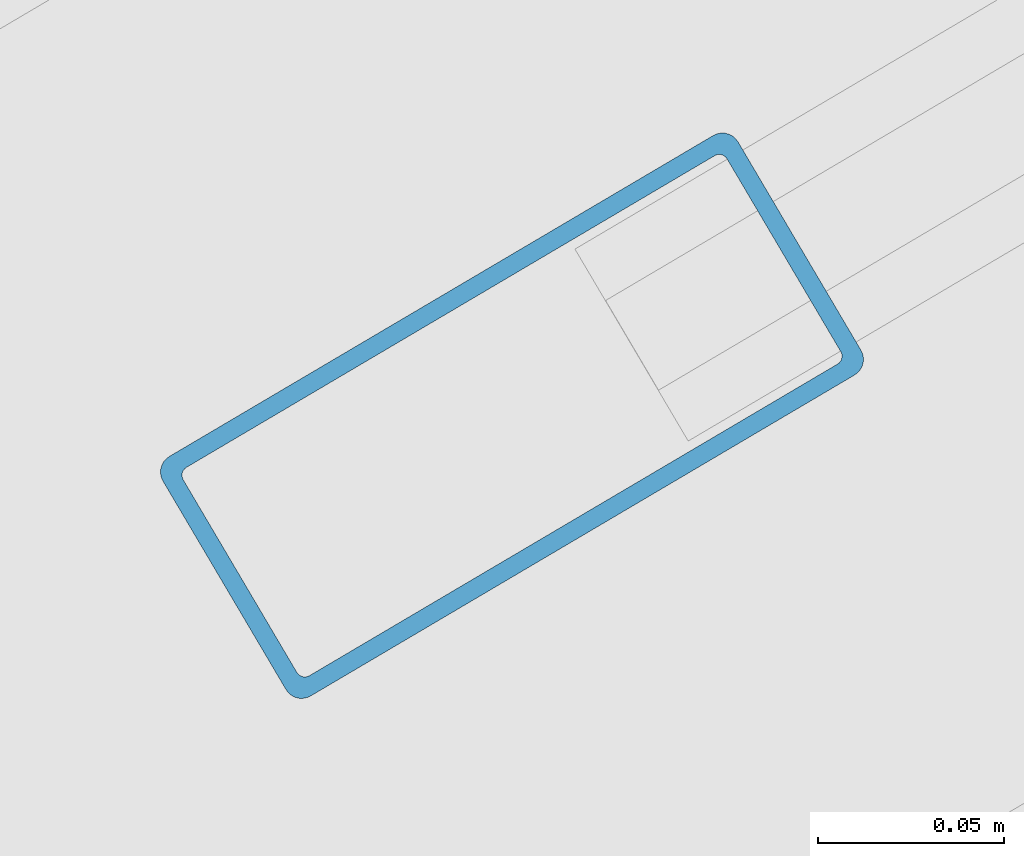
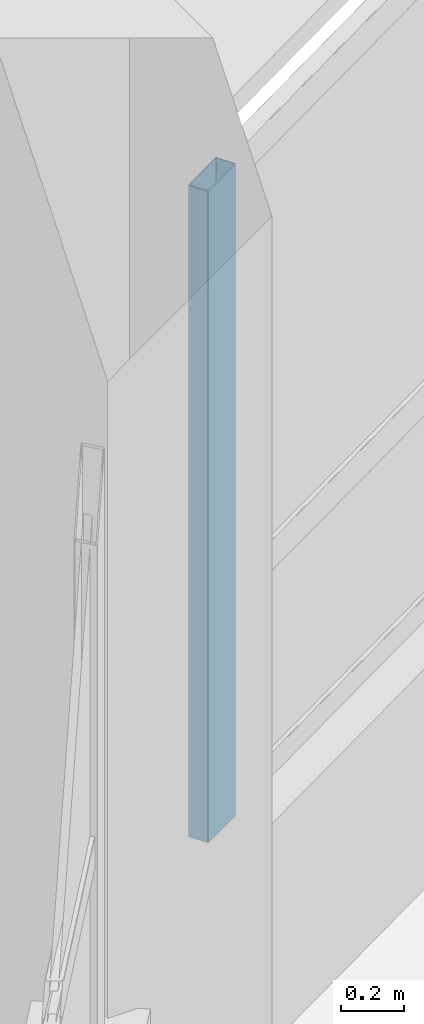
# One storey, part 73 of 128: 1 member, 1 element without a shape of its own.
"""IFC4 building model written with IfcOpenShell, lengths in metres."""

from ifc_helpers import new_model, si_unit, direction, frame, origin, origin_2d, place, context, subcontext, project, spatial, hollow_rectangle, extrude, material, layer, layer_set, material_profile, profile_set, type_object, element, aggregate, save


model = new_model("IFC4")

# Units and contexts
model_context = context("Model", 3, precision=1e-05, world=origin(), true_north=direction((0.0, 1.0)))
body_context = subcontext(model_context, "Body", "Model", "MODEL_VIEW")
ifc_project = project(units=[si_unit("LENGTHUNIT", "METRE"), si_unit("AREAUNIT", "SQUARE_METRE"), si_unit("VOLUMEUNIT", "CUBIC_METRE"), si_unit("PLANEANGLEUNIT", "RADIAN"), si_unit("MASSUNIT", "GRAM", prefix="KILO")], contexts=[model_context])

# Site, building, storey
site_placement = place(None, origin())
site = spatial("IfcSite", under=ifc_project, at=site_placement, CompositionType="ELEMENT")
building_placement = place(site_placement, origin())
building = spatial("IfcBuilding", under=site, at=building_placement, Name="Vespera Passage Community Centre", CompositionType="ELEMENT")
storey_placement = place(building_placement, frame((0.0, 0.0, 4.5)))
storey = spatial("IfcBuildingStorey", under=building, at=storey_placement, Name="L01", CompositionType="ELEMENT", Elevation=4.5)

# Curtain wall, member
ifc_material_1 = material(Name="Anodized aluminium 6063-T6", Category="aluminium")
ifc_layer = layer(ifc_material_1, 0.159912109375)
ifc_layer_set = layer_set([ifc_layer], Name="Anodized aluminium 6063-T6")
curtain_wall_type = type_object("IfcCurtainWallType", Name="CW-94E", PredefinedType="NOTDEFINED", material=ifc_layer_set)
curtain_wall_placement = place(storey_placement, origin())
curtain_wall = element("IfcCurtainWall", 1, at=curtain_wall_placement, inside=storey, type_object=curtain_wall_type, Name="Sports Drum Ribbon Curtain Wall L01.6", PredefinedType="NOTDEFINED")
ifc_material_2 = material(Name="Anodized aluminium 6063-T6", Category="aluminium")
ifc_material_profile = material_profile(ifc_material_2, hollow_rectangle(XDim=0.074951171875, YDim=0.179931640625, WallThickness=0.0048828125, InnerFilletRadius=0.00244140625, OuterFilletRadius=0.0048828125, at=origin_2d()), Name="ALU180X75X5")
ifc_profile_set = profile_set([ifc_material_profile], Name="Anodized aluminium 6063-T6")
member_type = type_object("IfcMemberType", Name="MB-CWM-180E", PredefinedType="MULLION", material=ifc_profile_set)
member_placement = place(storey_placement, frame((131.426025390625, 100.482666015625, 0.85009765625), z_axis=(0.0, 0.0, 1.0), x_axis=(-0.50817007737, 0.861256740157, 0.0)))
member = element("IfcMember", 2, at=member_placement, type_object=member_type, Name="CW-94E mullion 1", PredefinedType="MULLION", context=body_context, shape_type="SweptSolid", body=[
    extrude(hollow_rectangle(XDim=0.074951171875, YDim=0.179931640625, WallThickness=0.0048828125, InnerFilletRadius=0.00244140625, OuterFilletRadius=0.0048828125, at=origin_2d()), origin(), (0.0, 0.0, 1.0), 2.514892578125),
])
aggregate(curtain_wall, [member])

save(model, "model.ifc")
